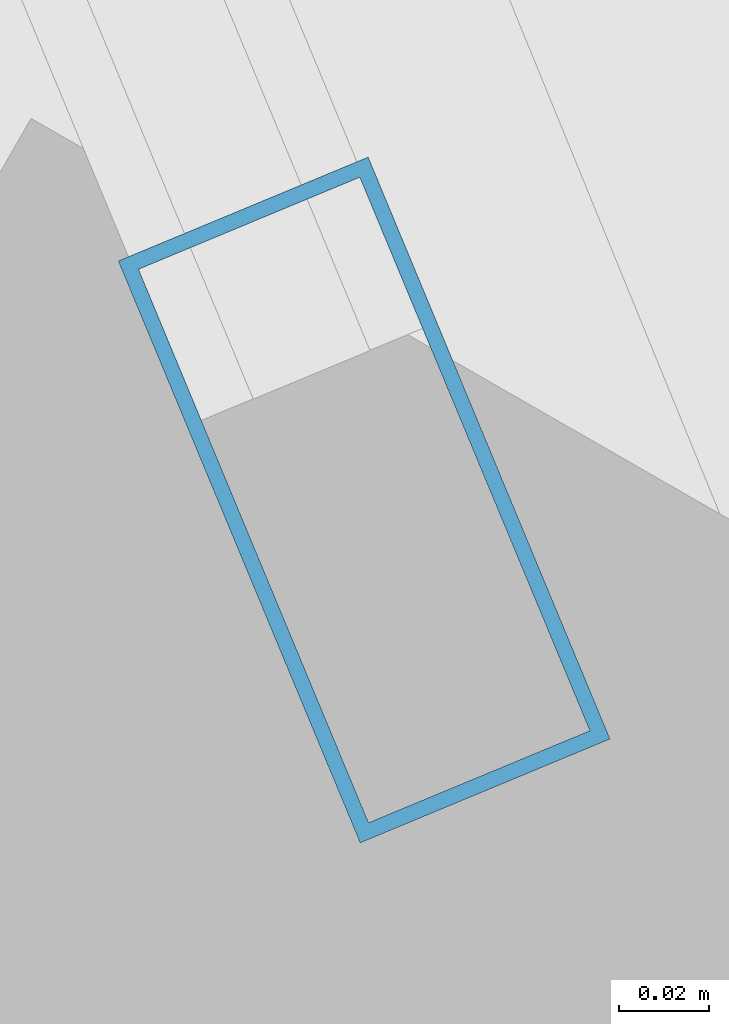
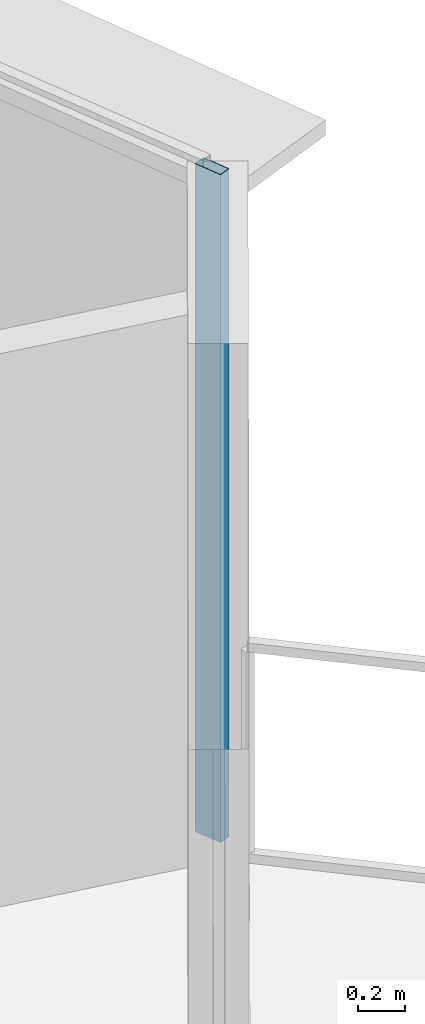
# One storey, part 16 of 33: 1 member, 1 element without a shape of its own.
"""IFC4 building model written with IfcOpenShell, lengths in metres."""

from ifc_helpers import new_model, si_unit, direction, frame, origin, origin_2d, place, context, subcontext, project, spatial, hollow_rectangle, extrude, source, transform, mapped, material, layer, layer_set, material_profile, profile_set, type_object, element, aggregate, save


model = new_model("IFC4")

# Units and contexts
model_context = context("Model", 3, precision=1e-05, world=origin(), true_north=direction((0.0, 1.0)))
body_context = subcontext(model_context, "Body", "Model", "MODEL_VIEW")
ifc_project = project(units=[si_unit("LENGTHUNIT", "METRE"), si_unit("AREAUNIT", "SQUARE_METRE"), si_unit("VOLUMEUNIT", "CUBIC_METRE"), si_unit("PLANEANGLEUNIT", "RADIAN"), si_unit("MASSUNIT", "GRAM", prefix="KILO"), si_unit("THERMODYNAMICTEMPERATUREUNIT", "KELVIN"), si_unit("POWERUNIT", "WATT")], contexts=[model_context])

# Site, building, storey
site_placement = place(None, origin())
site = spatial("IfcSite", under=ifc_project, at=site_placement, CompositionType="ELEMENT")
building_placement = place(site_placement, origin())
building = spatial("IfcBuilding", under=site, at=building_placement, Name="Yunzhuo Pagoda Commons", CompositionType="ELEMENT")
storey_placement = place(building_placement, frame((0.0, 0.0, 329.260009765625)))
storey = spatial("IfcBuildingStorey", under=building, at=storey_placement, Name="L82", CompositionType="ELEMENT", Elevation=329.260009765625)

# Curtain wall, member
ifc_material = material(Name="Anodized aluminium 6063-T6", Category="aluminium")
ifc_layer = layer(ifc_material, 0.139892578125)
ifc_layer_set = layer_set([ifc_layer], Name="Anodized aluminium 6063-T6")
curtain_wall_type = type_object("IfcCurtainWallType", Name="CW-HI High-Zone Ribbon Curtain Wall", PredefinedType="NOTDEFINED", material=ifc_layer_set)
curtain_wall_placement = place(storey_placement, origin())
curtain_wall = element("IfcCurtainWall", 1, at=curtain_wall_placement, inside=storey, type_object=curtain_wall_type, Name="L82 curtain wall CW-L82-F2B2", PredefinedType="NOTDEFINED")
ifc_material_profile = material_profile(ifc_material, hollow_rectangle(XDim=0.06005859375, YDim=0.139892578125, WallThickness=0.00341796875, at=origin_2d()), Name="Anodized aluminium 6063-T6")
ifc_profile_set = profile_set([ifc_material_profile], Name="Anodized aluminium 6063-T6")
member_type = type_object("IfcMemberType", Name="CW-HI-M Mullion RHS 140x60x3.5", PredefinedType="MULLION", material=ifc_profile_set)
shared_shape = source(origin(), body_context, "Body", "SweptSolid", [
    extrude(hollow_rectangle(XDim=0.06005859375, YDim=0.139892578125, WallThickness=0.00341796875, at=origin_2d()), origin(), (0.0, 0.0, 1.0), 3.489990234375),
])
member_placement = place(storey_placement, frame((76.91650390625, 28.718994140625, 0.0), z_axis=(0.0, 0.0, 1.0), x_axis=(-0.923407166951, -0.383821838909, 0.0)))
member = element("IfcMember", 2, at=member_placement, type_object=member_type, Name="CW mullion 1", PredefinedType="MULLION", context=body_context, shape_type="MappedRepresentation", body=[
    mapped(shared_shape, transform((0.0, 0.0, 0.0), scale=1.0)),
])
aggregate(curtain_wall, [member])

save(model, "model.ifc")
